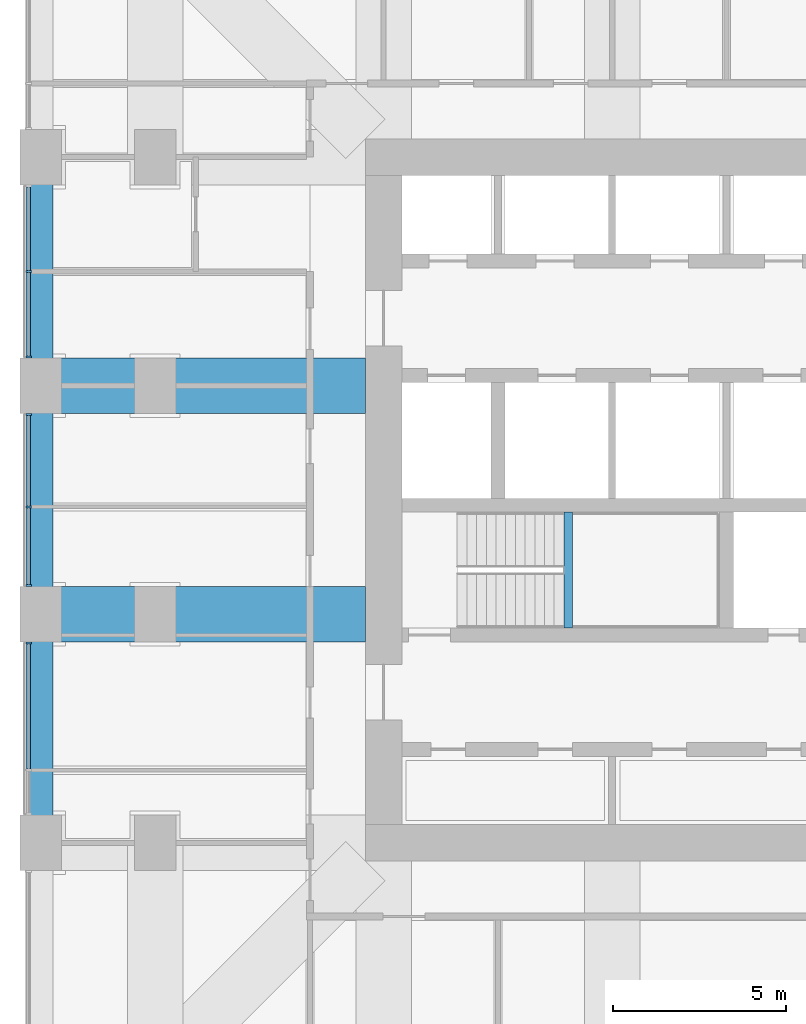
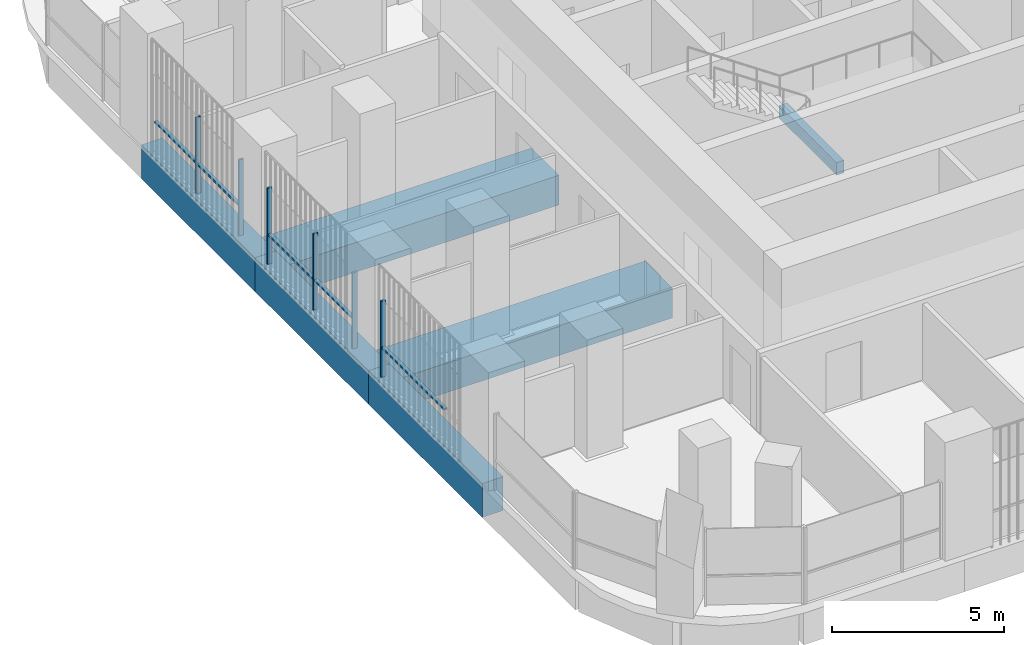
# One storey, part 4 of 19: 11 members, 6 beams, 3 elements without a shape of their own.
"""IFC4 building model written with IfcOpenShell, lengths in metres."""

from ifc_helpers import new_model, si_unit, direction, frame, origin, origin_2d, place, context, subcontext, project, spatial, rectangle, extrude, material, material_profile, profile_set, type_object, element, aggregate, save


model = new_model("IFC4")

# Units and contexts
model_context = context("Model", 3, precision=1e-05, world=origin(), true_north=direction((0.0, 1.0)))
body_context = subcontext(model_context, "Body", "Model", "MODEL_VIEW")
ifc_project = project(units=[si_unit("LENGTHUNIT", "METRE"), si_unit("AREAUNIT", "SQUARE_METRE"), si_unit("VOLUMEUNIT", "CUBIC_METRE"), si_unit("PLANEANGLEUNIT", "RADIAN"), si_unit("MASSUNIT", "GRAM", prefix="KILO")], contexts=[model_context])

# Site, building, storey
site_placement = place(None, origin())
site = spatial("IfcSite", under=ifc_project, at=site_placement, CompositionType="ELEMENT")
building_placement = place(site_placement, origin())
building = spatial("IfcBuilding", under=site, at=building_placement, Name="Cobogo Forest Laboratory Tower", CompositionType="ELEMENT")
storey_placement = place(building_placement, frame((0.0, 0.0, 206.10009765625)))
storey = spatial("IfcBuildingStorey", under=building, at=storey_placement, Name="L47", CompositionType="ELEMENT", Elevation=206.10009765625)

# Beams
ifc_material_1 = material(Name="Concrete HA-40 (C40/50)", Category="concrete")
ifc_material_profile_1 = material_profile(ifc_material_1, rectangle(XDim=0.25, YDim=0.449951171875, at=origin_2d()), Name="RC 250x450")
ifc_profile_set_1 = profile_set([ifc_material_profile_1], Name="Concrete HA-40 (C40/50)")
beam_type_1 = type_object("IfcBeamType", Name="LB1 landing beam 250x450", PredefinedType="BEAM", material=ifc_profile_set_1)
beam_1_placement = place(storey_placement, frame((18.530029296875, 19.39990234375, 1.6748046875), z_axis=(0.0, 1.0, 0.0), x_axis=(-1.0, 0.0, 0.0)))
element("IfcBeam", 1, at=beam_1_placement, inside=storey, type_object=beam_type_1, Name="Landing beam ST1 L47", PredefinedType="BEAM", context=body_context, shape_type="SweptSolid", body=[
    extrude(rectangle(XDim=0.25, YDim=0.449951171875, at=origin_2d()), origin(), (0.0, 0.0, 1.0), 3.35009765625),
])
ifc_material_2 = material(Name="Concrete HA-50 (C50/60)", Category="concrete")
ifc_material_profile_2 = material_profile(ifc_material_2, rectangle(XDim=1.60009765625, YDim=1.050048828125, at=origin_2d()), Name="RC 1600x1050")
ifc_profile_set_2 = profile_set([ifc_material_profile_2], Name="Concrete HA-50 (C50/60)")
beam_type_2 = type_object("IfcBeamType", Name="Laboratory floor wide beam 1600x1050", PredefinedType="BEAM", material=ifc_profile_set_2)
for number, where, z_axis, x_axis, name in (
    (2, (12.675048828125, 19.800048828125, -0.8251953125), (-1.0, 0.0, 0.0), (0.0, -1.0, 0.0), "RB8 R-D-W L47"),
    (3, (12.675048828125, 26.39990234375, -0.8251953125), (-1.0, 0.0, 0.0), (0.0, -1.0, 0.0), "RB8 R-E-W L47"),
):
    element("IfcBeam", number, at=place(storey_placement, frame(where, z_axis=z_axis, x_axis=x_axis)), inside=storey, type_object=beam_type_2, Name=name, PredefinedType="BEAM", context=body_context, shape_type="SweptSolid", body=[
        extrude(rectangle(XDim=1.60009765625, YDim=1.050048828125, at=origin_2d()), origin(), (0.0, 0.0, 1.0), 9.375),
    ])

# Curtain wall, members
ifc_material_3 = material(Name="Aluminium curtain wall", Category="aluminium")
curtain_wall_type = type_object("IfcCurtainWallType", Name="CW-2 unitised curtain wall, solar control glazing, laboratory floors zones C and D", PredefinedType="USERDEFINED", material=ifc_material_3)
curtain_wall_1_placement = place(storey_placement, origin())
curtain_wall_1 = element("IfcCurtainWall", 4, at=curtain_wall_1_placement, inside=storey, type_object=curtain_wall_type, Name="Curtain wall 25 L47", ObjectType="UNITISED CURTAIN WALL", PredefinedType="USERDEFINED")
ifc_material_4 = material(Name="Aluminium mullion", Category="aluminium")
ifc_material_profile_3 = material_profile(ifc_material_4, rectangle(XDim=0.06005859375, YDim=0.159912109375, at=origin_2d()), Name="AL 60x160")
ifc_profile_set_3 = profile_set([ifc_material_profile_3], Name="Aluminium mullion")
member_type_1 = type_object("IfcMemberType", Name="MU-1 aluminium mullion 60x160", PredefinedType="MULLION", material=ifc_profile_set_3)
member_1_placement = place(storey_placement, frame((2.949951171875, 29.699951171875, 0.0), z_axis=(0.0, 0.0, 1.0), x_axis=(0.0, -1.0, 0.0)))
member_1 = element("IfcMember", 5, at=member_1_placement, type_object=member_type_1, Name="CW-2 mullion 2", PredefinedType="MULLION", context=body_context, shape_type="SweptSolid", body=[
    extrude(rectangle(XDim=0.06005859375, YDim=0.159912109375, at=origin_2d()), origin(), (0.0, 0.0, 1.0), 2.699951171875),
])
member_2_placement = place(storey_placement, frame((2.949951171875, 27.22998046875, 0.0), z_axis=(0.0, 0.0, 1.0), x_axis=(0.0, -1.0, 0.0)))
member_2 = element("IfcMember", 6, at=member_2_placement, type_object=member_type_1, Name="CW-2 mullion 3", PredefinedType="MULLION", context=body_context, shape_type="SweptSolid", body=[
    extrude(rectangle(XDim=0.06005859375, YDim=0.159912109375, at=origin_2d()), origin(), (0.0, 0.0, 1.0), 2.699951171875),
])

curtain_wall_2_placement = place(storey_placement, origin())
curtain_wall_2 = element("IfcCurtainWall", 7, at=curtain_wall_2_placement, inside=storey, type_object=curtain_wall_type, Name="Curtain wall 26 L47", ObjectType="UNITISED CURTAIN WALL", PredefinedType="USERDEFINED")
member_3_placement = place(storey_placement, frame((2.949951171875, 25.570068359375, 0.0), z_axis=(0.0, 0.0, 1.0), x_axis=(0.0, -1.0, 0.0)))
member_3 = element("IfcMember", 8, at=member_3_placement, type_object=member_type_1, Name="CW-2 mullion 1", PredefinedType="MULLION", context=body_context, shape_type="SweptSolid", body=[
    extrude(rectangle(XDim=0.06005859375, YDim=0.159912109375, at=origin_2d()), origin(), (0.0, 0.0, 1.0), 2.699951171875),
])
member_4_placement = place(storey_placement, frame((2.949951171875, 22.89990234375, 0.0), z_axis=(0.0, 0.0, 1.0), x_axis=(0.0, -1.0, 0.0)))
member_4 = element("IfcMember", 9, at=member_4_placement, type_object=member_type_1, Name="CW-2 mullion 2", PredefinedType="MULLION", context=body_context, shape_type="SweptSolid", body=[
    extrude(rectangle(XDim=0.06005859375, YDim=0.159912109375, at=origin_2d()), origin(), (0.0, 0.0, 1.0), 2.699951171875),
])
member_5_placement = place(storey_placement, frame((2.949951171875, 20.6298828125, 0.0), z_axis=(0.0, 0.0, 1.0), x_axis=(0.0, -1.0, 0.0)))
member_5 = element("IfcMember", 10, at=member_5_placement, type_object=member_type_1, Name="CW-2 mullion 3", PredefinedType="MULLION", context=body_context, shape_type="SweptSolid", body=[
    extrude(rectangle(XDim=0.06005859375, YDim=0.159912109375, at=origin_2d()), origin(), (0.0, 0.0, 1.0), 2.699951171875),
])

# Curtain wall, member
curtain_wall_3_placement = place(storey_placement, origin())
curtain_wall_3 = element("IfcCurtainWall", 11, at=curtain_wall_3_placement, inside=storey, type_object=curtain_wall_type, Name="Curtain wall 27 L47", ObjectType="UNITISED CURTAIN WALL", PredefinedType="USERDEFINED")
member_6_placement = place(storey_placement, frame((2.949951171875, 18.969970703125, 0.0), z_axis=(0.0, 0.0, 1.0), x_axis=(0.0, -1.0, 0.0)))
member_6 = element("IfcMember", 12, at=member_6_placement, type_object=member_type_1, Name="CW-2 mullion 1", PredefinedType="MULLION", context=body_context, shape_type="SweptSolid", body=[
    extrude(rectangle(XDim=0.06005859375, YDim=0.159912109375, at=origin_2d()), origin(), (0.0, 0.0, 1.0), 2.699951171875),
])

# Beams
ifc_material_profile_4 = material_profile(ifc_material_1, rectangle(XDim=0.699951171875, YDim=1.199951171875, at=origin_2d()), Name="RC 700x1200")
ifc_profile_set_4 = profile_set([ifc_material_profile_4], Name="Concrete HA-40 (C40/50)")
beam_type_3 = type_object("IfcBeamType", Name="Perimeter edge beam 700x1200", PredefinedType="BEAM", material=ifc_profile_set_4)
beam_2_placement = place(storey_placement, frame((3.300048828125, 13.199951171875, -0.900146484375), z_axis=(0.0, 1.0, 0.0), x_axis=(-1.0, 0.0, 0.0)))
element("IfcBeam", 13, at=beam_2_placement, inside=storey, type_object=beam_type_3, Name="EB1 E-W1 L47", PredefinedType="BEAM", context=body_context, shape_type="SweptSolid", body=[
    extrude(rectangle(XDim=0.699951171875, YDim=1.199951171875, at=origin_2d()), origin(), (0.0, 0.0, 1.0), 6.60009765625),
])
beam_3_placement = place(storey_placement, frame((3.300048828125, 19.800048828125, -0.900146484375), z_axis=(0.0, 1.0, 0.0), x_axis=(-1.0, 0.0, 0.0)))
element("IfcBeam", 14, at=beam_3_placement, inside=storey, type_object=beam_type_3, Name="EB1 E-W2 L47", PredefinedType="BEAM", context=body_context, shape_type="SweptSolid", body=[
    extrude(rectangle(XDim=0.699951171875, YDim=1.199951171875, at=origin_2d()), origin(), (0.0, 0.0, 1.0), 6.599853515625),
])
beam_4_placement = place(storey_placement, frame((3.300048828125, 26.39990234375, -0.900146484375), z_axis=(0.0, 1.0, 0.0), x_axis=(-1.0, 0.0, 0.0)))
element("IfcBeam", 15, at=beam_4_placement, inside=storey, type_object=beam_type_3, Name="EB1 E-W3 L47", PredefinedType="BEAM", context=body_context, shape_type="SweptSolid", body=[
    extrude(rectangle(XDim=0.699951171875, YDim=1.199951171875, at=origin_2d()), origin(), (0.0, 0.0, 1.0), 6.60009765625),
])

# Member
ifc_material_5 = material(Name="Aluminium transom", Category="aluminium")
ifc_material_profile_5 = material_profile(ifc_material_5, rectangle(XDim=0.1201171875, YDim=0.06005859375, at=origin_2d()), Name="AL 60x120")
ifc_profile_set_5 = profile_set([ifc_material_profile_5], Name="Aluminium transom")
member_type_2 = type_object("IfcMemberType", Name="TR-1 aluminium transom 60x120", PredefinedType="USERDEFINED", material=ifc_profile_set_5)
member_7_placement = place(storey_placement, frame((2.949951171875, 32.139892578125, 1.0498046875), z_axis=(0.0, -1.0, 0.0), x_axis=(1.0, 0.0, 0.0)))
member_7 = element("IfcMember", 16, at=member_7_placement, type_object=member_type_2, Name="CW-2 transom 1.1", ObjectType="TRANSOM", PredefinedType="USERDEFINED", context=body_context, shape_type="SweptSolid", body=[
    extrude(rectangle(XDim=0.1201171875, YDim=0.06005859375, at=origin_2d()), origin(), (0.0, 0.0, 1.0), 2.409912109375),
])

member_8_placement = place(storey_placement, frame((2.949951171875, 29.669921875, 1.0498046875), z_axis=(0.0, -1.0, 0.0), x_axis=(1.0, 0.0, 0.0)))
member_8 = element("IfcMember", 17, at=member_8_placement, type_object=member_type_2, Name="CW-2 transom 2.1", ObjectType="TRANSOM", PredefinedType="USERDEFINED", context=body_context, shape_type="SweptSolid", body=[
    extrude(rectangle(XDim=0.1201171875, YDim=0.06005859375, at=origin_2d()), origin(), (0.0, 0.0, 1.0), 2.409912109375),
])

aggregate(curtain_wall_1, [member_1, member_2, member_7, member_8])

member_9_placement = place(storey_placement, frame((2.949951171875, 25.5400390625, 1.0498046875), z_axis=(0.0, -1.0, 0.0), x_axis=(1.0, 0.0, 0.0)))
member_9 = element("IfcMember", 18, at=member_9_placement, type_object=member_type_2, Name="CW-2 transom 1.1", ObjectType="TRANSOM", PredefinedType="USERDEFINED", context=body_context, shape_type="SweptSolid", body=[
    extrude(rectangle(XDim=0.1201171875, YDim=0.06005859375, at=origin_2d()), origin(), (0.0, 0.0, 1.0), 2.610107421875),
])

member_10_placement = place(storey_placement, frame((2.949951171875, 22.8701171875, 1.0498046875), z_axis=(0.0, -1.0, 0.0), x_axis=(1.0, 0.0, 0.0)))
member_10 = element("IfcMember", 19, at=member_10_placement, type_object=member_type_2, Name="CW-2 transom 2.1", ObjectType="TRANSOM", PredefinedType="USERDEFINED", context=body_context, shape_type="SweptSolid", body=[
    extrude(rectangle(XDim=0.1201171875, YDim=0.06005859375, at=origin_2d()), origin(), (0.0, 0.0, 1.0), 2.210205078125),
])

aggregate(curtain_wall_2, [member_3, member_4, member_5, member_9, member_10])

member_11_placement = place(storey_placement, frame((2.949951171875, 18.93994140625, 1.0498046875), z_axis=(0.0, -1.0, 0.0), x_axis=(1.0, 0.0, 0.0)))
member_11 = element("IfcMember", 20, at=member_11_placement, type_object=member_type_2, Name="CW-2 transom 1.1", ObjectType="TRANSOM", PredefinedType="USERDEFINED", context=body_context, shape_type="SweptSolid", body=[
    extrude(rectangle(XDim=0.1201171875, YDim=0.06005859375, at=origin_2d()), origin(), (0.0, 0.0, 1.0), 3.60986328125),
])

aggregate(curtain_wall_3, [member_6, member_11])

save(model, "model.ifc")
